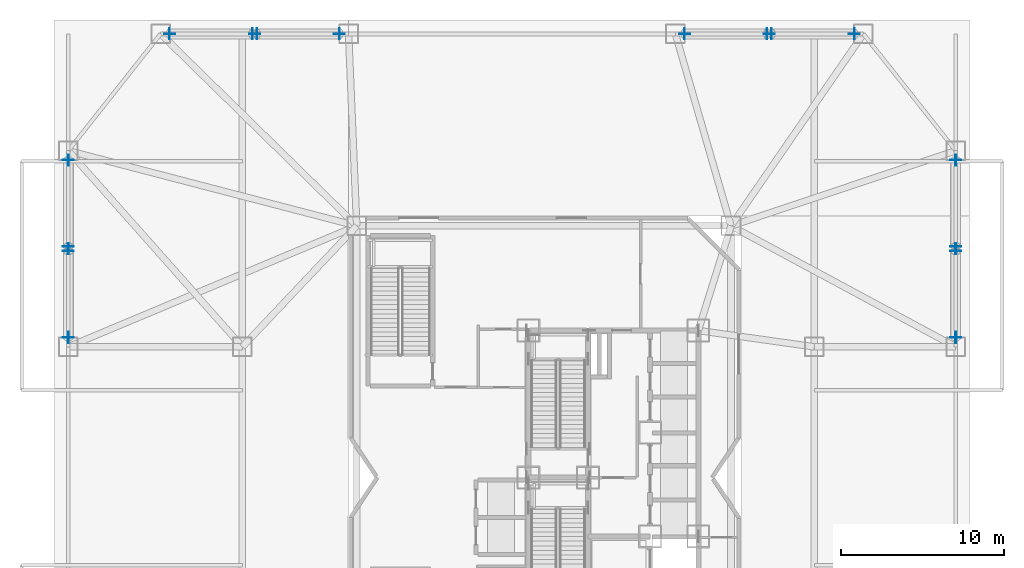
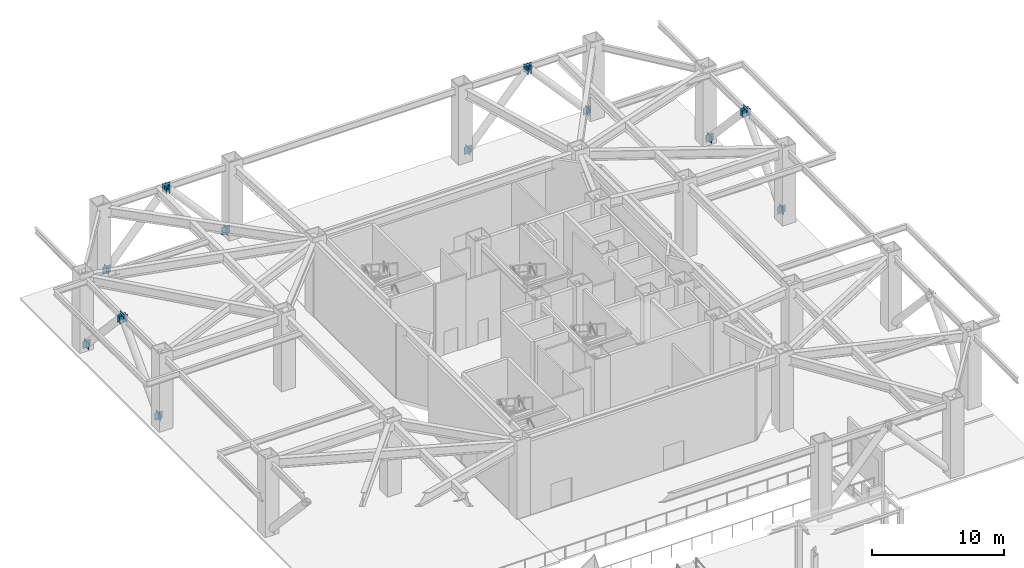
# One storey, part 8 of 14: 28 plates.
"""IFC4 building model written with IfcOpenShell, lengths in metres."""

import ifcopenshell
import ifcopenshell.guid

model = None  # the IFC model being written
_history = None  # IfcOwnerHistory: only IFC2X3 demands one
_inside = {}  # id of a spatial element -> (the spatial element, [elements in it])
_under = {}  # id of a project, library or spatial element -> (it, [spatial elements below it])
_declared = {}  # id of a project -> (the project, [libraries it declares])
_typed = {}  # id of a type object -> (the type object, [elements of that type])
_made_of = {}  # id of a material, layer set ... -> (it, [elements and type objects made of it])


def new_model(schema):
    """Start an empty IFC model of exactly this schema.

    Asked for "IFC4X3", IfcOpenShell would pick the latest addendum, in which some entities
    have other attributes; the version numbers below select the first issue.
    IFC2X3 requires an IfcOwnerHistory on every rooted entity: one is made here for all.
    """
    global model, _history
    if schema == "IFC4X3":
        model = ifcopenshell.file(schema_version=(4, 3, 0, 0))
    else:
        model = ifcopenshell.file(schema=schema)
    _inside.clear()
    _under.clear()
    _declared.clear()
    _typed.clear()
    _made_of.clear()
    _history = None
    if model.schema == "IFC2X3":
        org = make("IfcOrganization", Name="unknown")
        user = make(
            "IfcPersonAndOrganization",
            ThePerson=make("IfcPerson", FamilyName="unknown"),
            TheOrganization=org,
        )
        app = make(
            "IfcApplication",
            ApplicationDeveloper=org,
            Version="unknown",
            ApplicationFullName="unknown",
            ApplicationIdentifier="unknown",
        )
        _history = make(
            "IfcOwnerHistory",
            OwningUser=user,
            OwningApplication=app,
            ChangeAction="ADDED",
            CreationDate=0,
        )
    return model


def make(cls, **values):
    """One entity of the class cls with the attributes given. An attribute that is None is left unset."""
    return model.create_entity(
        cls, **{name: value for name, value in values.items() if value is not None}
    )


def rooted(cls, **values):
    """An entity with a GlobalId (a new one), such as an element, a storey or a relation."""
    return make(cls, GlobalId=ifcopenshell.guid.new(), OwnerHistory=_history, **values)


def si_unit(unit_type, name, prefix=None):
    """IfcSIUnit, for example si_unit("LENGTHUNIT", "METRE", prefix="MILLI")."""
    return make("IfcSIUnit", UnitType=unit_type, Prefix=prefix, Name=name)


def assignment(units):
    """IfcUnitAssignment: the units of a project."""
    return None if units is None else make("IfcUnitAssignment", Units=units)


def point(xyz):
    """IfcCartesianPoint."""
    return None if xyz is None else make("IfcCartesianPoint", Coordinates=xyz)


def direction(xyz):
    """IfcDirection."""
    return None if xyz is None else make("IfcDirection", DirectionRatios=xyz)


def frame(location, z_axis=None, x_axis=None):
    """IfcAxis2Placement3D, a coordinate frame: its origin and axes. An axis left out is left unset."""
    return make(
        "IfcAxis2Placement3D",
        Location=point(location),
        Axis=direction(z_axis),
        RefDirection=direction(x_axis),
    )


def frame_2d(location, x_axis=None):
    """IfcAxis2Placement2D, a coordinate frame in the plane: its origin and x axis."""
    return make(
        "IfcAxis2Placement2D", Location=point(location), RefDirection=direction(x_axis)
    )


def origin():
    """The frame at (0, 0, 0) with its axes left unset."""
    return frame((0.0, 0.0, 0.0))


def origin_2d():
    """The frame at (0, 0) in the plane with its x axis left unset."""
    return frame_2d((0.0, 0.0))


def place(relative_to, where):
    """IfcLocalPlacement: puts the frame where relative to a parent placement (None: the world)."""
    return make(
        "IfcLocalPlacement", PlacementRelTo=relative_to, RelativePlacement=where
    )


def context(
    kind, dimensions, precision=None, world=None, true_north=None, identifier=None
):
    """IfcGeometricRepresentationContext, for example the 3D "Model" context."""
    return make(
        "IfcGeometricRepresentationContext",
        ContextIdentifier=identifier,
        ContextType=kind,
        CoordinateSpaceDimension=dimensions,
        Precision=precision,
        WorldCoordinateSystem=world,
        TrueNorth=true_north,
    )


def subcontext(parent, identifier, kind, view, scale=None):
    """IfcGeometricRepresentationSubContext, for example "Body" below "Model"."""
    return make(
        "IfcGeometricRepresentationSubContext",
        ContextIdentifier=identifier,
        ContextType=kind,
        ParentContext=parent,
        TargetScale=scale,
        TargetView=view,
    )


def project(units=None, contexts=None):
    """IfcProject with its units and contexts."""
    return rooted(
        "IfcProject",
        Name="project",
        RepresentationContexts=contexts,
        UnitsInContext=assignment(units),
    )


def spatial(cls, under=None, at=None, **own):
    """A site, building, storey or space (cls), placed at a placement, below another one or the project."""
    s = rooted(cls, ObjectPlacement=at, **own)
    if under is not None:
        _under.setdefault(under.id(), (under, []))[1].append(s)
    return s


def profile(cls, at=None, kind="AREA", **sizes):
    """A parametric profile (cls). Its sizes go by their IFC names, for example OverallWidth=200.0."""
    return make(cls, ProfileType=kind, Position=at, **sizes)


def rectangle(**sizes):
    """IfcRectangleProfileDef."""
    return profile("IfcRectangleProfileDef", **sizes)


def extrude(swept, where, along, depth):
    """IfcExtrudedAreaSolid: the profile swept, set in the frame where, extruded along a direction by depth."""
    return make(
        "IfcExtrudedAreaSolid",
        SweptArea=swept,
        Position=where,
        ExtrudedDirection=direction(along),
        Depth=depth,
    )


def shape(context_of_items, identifier, shape_type, items):
    """IfcShapeRepresentation: the items that make up one representation, for example the "Body"."""
    return make(
        "IfcShapeRepresentation",
        ContextOfItems=context_of_items,
        RepresentationIdentifier=identifier,
        RepresentationType=shape_type,
        Items=items,
    )


def material(Name=None, Category=None):
    """IfcMaterial."""
    return make("IfcMaterial", Name=Name, Category=Category)


def layer(
    of_material, thickness, ventilated=None, Name=None, Category=None, Priority=None
):
    """IfcMaterialLayer: one layer of a wall or slab, of a material (None: an air gap)."""
    return make(
        "IfcMaterialLayer",
        Material=of_material,
        LayerThickness=thickness,
        IsVentilated=ventilated,
        Name=Name,
        Category=Category,
        Priority=Priority,
    )


def layer_set(layers, Name=None):
    """IfcMaterialLayerSet."""
    return make("IfcMaterialLayerSet", MaterialLayers=layers, LayerSetName=Name)


def made_of(thing, what):
    """Note that an element or type object is made of a material, layer set ...; save() writes the relation."""
    if what is not None:
        _made_of.setdefault(what.id(), (what, []))[1].append(thing)
    return thing


def type_object(cls, material=None, **own):
    """A type object (cls), such as IfcWallType, which elements share."""
    return made_of(rooted(cls, **own), material)


def element(
    cls,
    number,
    at=None,
    inside=None,
    cuts=None,
    type_object=None,
    material=None,
    context=None,
    identifier="Body",
    shape_type=None,
    held_by="IfcProductDefinitionShape",
    body=None,
    shapes=None,
    **own,
):
    """One element of the class cls, such as IfcWall. Its Tag is "e" and its number.

    at: its placement. inside: the storey or other place that contains it. cuts: it is an
    opening in that element (IfcRelVoidsElement). A single representation is given by context,
    identifier, shape_type and body (its items); several are given by shapes. held_by: the class
    of the entity that holds the representations. save() writes the other relations.
    """
    e = rooted(cls, Tag="e%d" % number, ObjectPlacement=at, **own)
    if body is not None:
        shapes = [shape(context, identifier, shape_type, body)]
    if shapes is not None:
        e.Representation = make(held_by, Representations=shapes)
    if inside is not None:
        _inside.setdefault(inside.id(), (inside, []))[1].append(e)
    if cuts is not None:
        rooted(
            "IfcRelVoidsElement", RelatingBuildingElement=cuts, RelatedOpeningElement=e
        )
    if type_object is not None:
        _typed.setdefault(type_object.id(), (type_object, []))[1].append(e)
    return made_of(e, material)


def aggregate(whole, parts):
    """IfcRelAggregates: a whole, such as a stair, and the parts it consists of."""
    return rooted("IfcRelAggregates", RelatingObject=whole, RelatedObjects=parts)


def save(model, path):
    """Write the relations noted so far, then the file.

    IfcRelAggregates (storeys below a building ...), IfcRelContainedInSpatialStructure (elements
    in a storey), IfcRelDefinesByType, IfcRelAssociatesMaterial and IfcRelDeclares: one each for
    every whole, place, type object, material and project.
    """
    for whole, parts in _under.values():
        aggregate(whole, parts)
    for where, things in _inside.values():
        rooted(
            "IfcRelContainedInSpatialStructure",
            RelatedElements=things,
            RelatingStructure=where,
        )
    for kind, things in _typed.values():
        rooted("IfcRelDefinesByType", RelatedObjects=things, RelatingType=kind)
    for what, things in _made_of.values():
        rooted("IfcRelAssociatesMaterial", RelatedObjects=things, RelatingMaterial=what)
    for by, libraries in _declared.values():
        rooted("IfcRelDeclares", RelatingContext=by, RelatedDefinitions=libraries)
    model.write(path)


model = new_model("IFC4")

# Units and contexts
model_context = context("Model", 3, precision=1e-05, world=origin(), true_north=direction((0.0, 1.0)))
body_context = subcontext(model_context, "Body", "Model", "MODEL_VIEW")
ifc_project = project(units=[si_unit("LENGTHUNIT", "METRE"), si_unit("AREAUNIT", "SQUARE_METRE"), si_unit("VOLUMEUNIT", "CUBIC_METRE"), si_unit("PLANEANGLEUNIT", "RADIAN"), si_unit("MASSUNIT", "GRAM", prefix="KILO")], contexts=[model_context])

# Site, building, storey
site_placement = place(None, origin())
site = spatial("IfcSite", under=ifc_project, at=site_placement, CompositionType="ELEMENT")
building_placement = place(site_placement, origin())
building = spatial("IfcBuilding", under=site, at=building_placement, Name="Khamvora Tower", CompositionType="ELEMENT")
storey_placement = place(building_placement, origin())
storey = spatial("IfcBuildingStorey", under=building, at=storey_placement, Name="L00", CompositionType="ELEMENT", Elevation=0.0)

# Plates
ifc_material_1 = material(Name="Steel S355", Category="steel")
ifc_layer_1 = layer(ifc_material_1, 0.02490234375)
ifc_layer_set_1 = layer_set([ifc_layer_1], Name="Steel S355")
plate_type_1 = type_object("IfcPlateType", Name="PL-CAP-25", PredefinedType="SHEET", material=ifc_layer_set_1)
for number, where, z_axis, x_axis, name in (
    (1, (7.052001953125, 55.14990234375, 0.322021484375), (0.0, 0.0, 1.0), (1.0, 0.0, 0.0), "L00 hollow section steel end cap plate 0388"),
    (2, (12.111083984375, 55.14990234375, 5.98193359375), (0.0, 0.0, 1.0), (1.0, 0.0, 0.0), "L00 hollow section steel end cap plate 0389"),
    (3, (17.447998046875, 55.14990234375, 0.322021484375), (0.0, 0.0, 1.0), (-1.0, 0.0, 0.0), "L00 hollow section steel end cap plate 0390"),
    (4, (12.388916015625, 55.14990234375, 5.98193359375), (0.0, 0.0, 1.0), (-1.0, 0.0, 0.0), "L00 hollow section steel end cap plate 0391"),
    (5, (38.552001953125, 55.14990234375, 0.322021484375), (0.0, 0.0, 1.0), (1.0, 0.0, 0.0), "L00 hollow section steel end cap plate 0392"),
    (6, (43.611083984375, 55.14990234375, 5.98193359375), (0.0, 0.0, 1.0), (1.0, 0.0, 0.0), "L00 hollow section steel end cap plate 0393"),
    (7, (48.947998046875, 55.14990234375, 0.322021484375), (0.0, 0.0, 1.0), (-1.0, 0.0, 0.0), "L00 hollow section steel end cap plate 0394"),
    (8, (43.888916015625, 55.14990234375, 5.98193359375), (0.0, 0.0, 1.0), (-1.0, 0.0, 0.0), "L00 hollow section steel end cap plate 0395"),
    (9, (0.85009765625, 36.56396484375, 0.31005859375), (0.0, 0.0, 1.0), (0.0, 1.0, 0.0), "L00 hollow section steel end cap plate 0400"),
    (10, (0.85009765625, 41.85888671875, 5.985107421875), (0.0, 0.0, 1.0), (0.0, 1.0, 0.0), "L00 hollow section steel end cap plate 0401"),
    (11, (0.85009765625, 47.43603515625, 0.31005859375), (0.0, 0.0, 1.0), (0.0, -1.0, 0.0), "L00 hollow section steel end cap plate 0402"),
    (12, (0.85009765625, 42.14111328125, 5.985107421875), (0.0, 0.0, 1.0), (0.0, -1.0, 0.0), "L00 hollow section steel end cap plate 0403"),
    (13, (55.14990234375, 36.56396484375, 0.31005859375), (0.0, 0.0, 1.0), (0.0, 1.0, 0.0), "L00 hollow section steel end cap plate 0408"),
    (14, (55.14990234375, 41.85888671875, 5.985107421875), (0.0, 0.0, 1.0), (0.0, 1.0, 0.0), "L00 hollow section steel end cap plate 0409"),
    (15, (55.14990234375, 47.43603515625, 0.31005859375), (0.0, 0.0, 1.0), (0.0, -1.0, 0.0), "L00 hollow section steel end cap plate 0410"),
    (16, (55.14990234375, 42.14111328125, 5.985107421875), (0.0, 0.0, 1.0), (0.0, -1.0, 0.0), "L00 hollow section steel end cap plate 0411"),
):
    element("IfcPlate", number, at=place(storey_placement, frame(where, z_axis=z_axis, x_axis=x_axis)), inside=storey, type_object=plate_type_1, Name=name, PredefinedType="SHEET", context=body_context, shape_type="SweptSolid", body=[
        extrude(rectangle(XDim=0.02490234375, YDim=0.669921875, at=origin_2d()), origin(), (0.0, 0.0, 1.0), 0.669921875),
    ])
ifc_material_2 = material(Name="Steel S460", Category="steel")
ifc_layer_2 = layer(ifc_material_2, 0.0400390625)
ifc_layer_set_2 = layer_set([ifc_layer_2], Name="Steel S460")
plate_type_2 = type_object("IfcPlateType", Name="PLT-GUS-40", PredefinedType="SHEET", material=ifc_layer_set_2)
for number, where, z_axis, x_axis, name in (
    (17, (7.06005859375, 55.14990234375, 0.326171875), (0.0, 0.0, 1.0), (1.0, 0.0, 0.0), "L00 brace connection node gusset plate 0007"),
    (18, (17.43994140625, 55.14990234375, 0.326171875), (0.0, 0.0, 1.0), (1.0, 0.0, 0.0), "L00 brace connection node gusset plate 0008"),
    (19, (12.25, 55.14990234375, 6.1318359375), (0.0, 0.0, 1.0), (1.0, 0.0, 0.0), "L00 brace connection node gusset plate 0009"),
    (20, (38.56005859375, 55.14990234375, 0.326171875), (0.0, 0.0, 1.0), (1.0, 0.0, 0.0), "L00 brace connection node gusset plate 0010"),
    (21, (48.93994140625, 55.14990234375, 0.326171875), (0.0, 0.0, 1.0), (1.0, 0.0, 0.0), "L00 brace connection node gusset plate 0011"),
    (22, (43.75, 55.14990234375, 6.1318359375), (0.0, 0.0, 1.0), (1.0, 0.0, 0.0), "L00 brace connection node gusset plate 0012"),
    (23, (0.85009765625, 36.572998046875, 0.31396484375), (0.0, 0.0, 1.0), (0.0, 1.0, 0.0), "L00 brace connection node gusset plate 0016"),
    (24, (0.85009765625, 47.427001953125, 0.31396484375), (0.0, 0.0, 1.0), (0.0, 1.0, 0.0), "L00 brace connection node gusset plate 0017"),
    (25, (0.85009765625, 42.0, 6.1318359375), (0.0, 0.0, 1.0), (0.0, 1.0, 0.0), "L00 brace connection node gusset plate 0018"),
    (26, (55.14990234375, 36.572998046875, 0.31396484375), (0.0, 0.0, 1.0), (0.0, 1.0, 0.0), "L00 brace connection node gusset plate 0022"),
    (27, (55.14990234375, 47.427001953125, 0.31396484375), (0.0, 0.0, 1.0), (0.0, 1.0, 0.0), "L00 brace connection node gusset plate 0023"),
    (28, (55.14990234375, 42.0, 6.1318359375), (0.0, 0.0, 1.0), (0.0, 1.0, 0.0), "L00 brace connection node gusset plate 0024"),
):
    element("IfcPlate", number, at=place(storey_placement, frame(where, z_axis=z_axis, x_axis=x_axis)), inside=storey, type_object=plate_type_2, Name=name, PredefinedType="SHEET", context=body_context, shape_type="SweptSolid", body=[
        extrude(rectangle(XDim=0.679931640625, YDim=0.0400390625, at=origin_2d()), origin(), (0.0, 0.0, 1.0), 0.679931640625),
    ])

save(model, "model.ifc")
